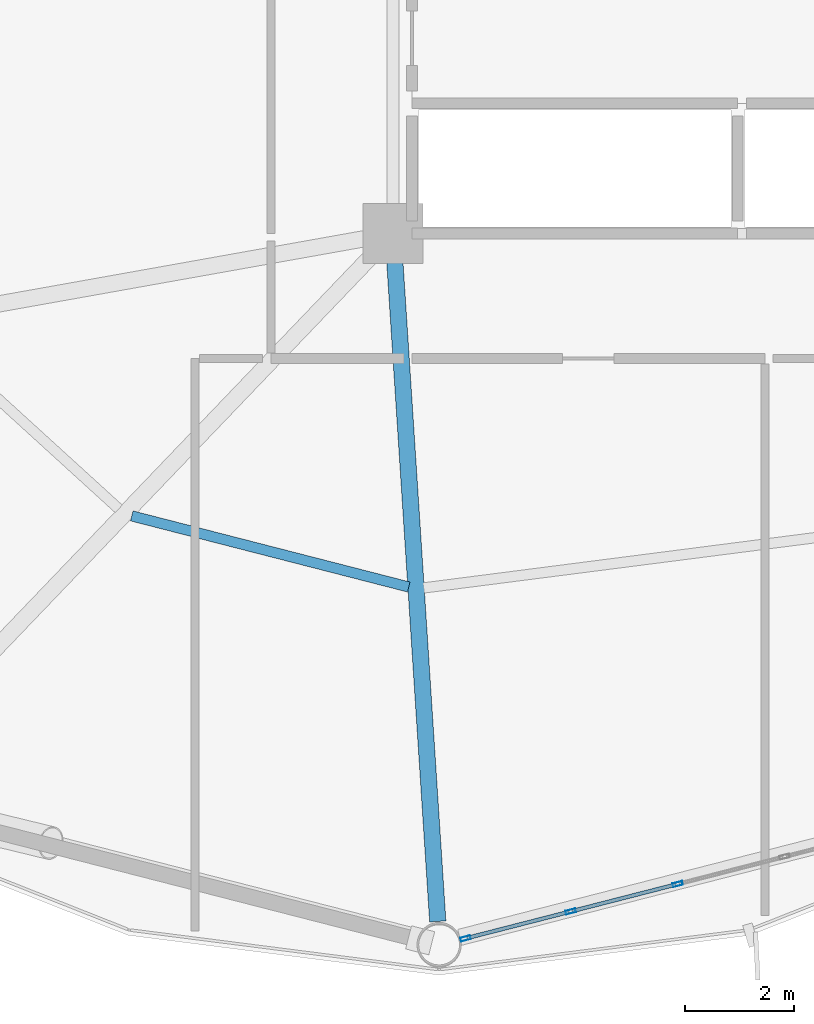
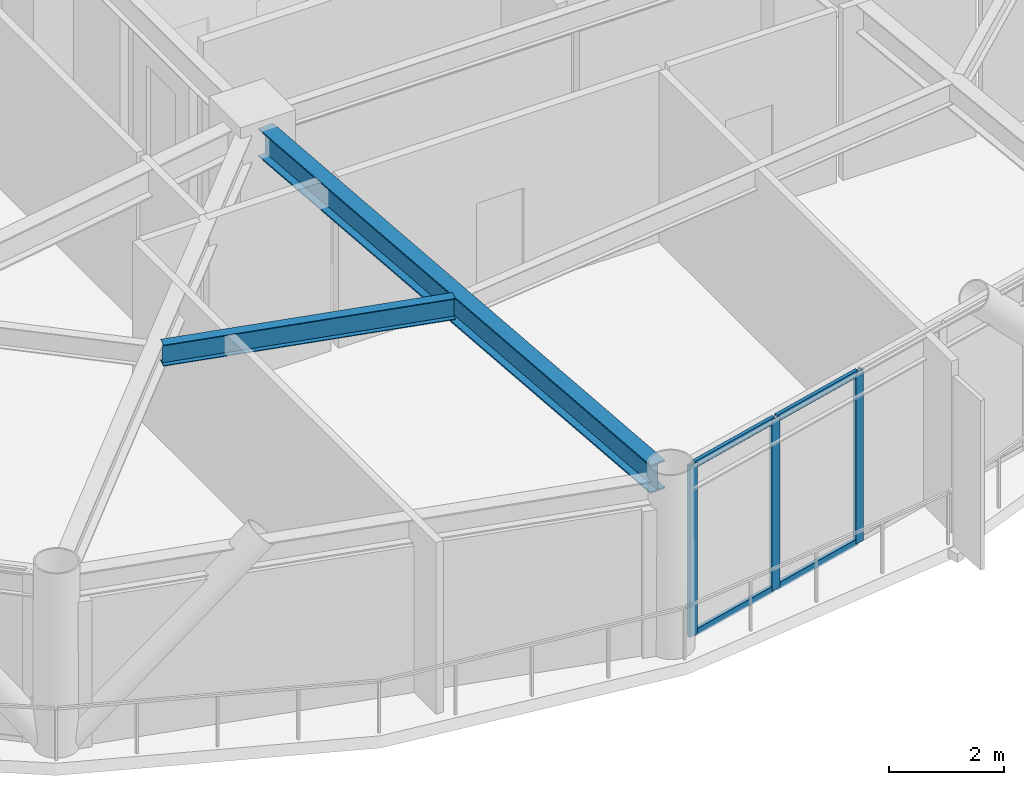
# One storey, part 5 of 25: 7 members, 2 beams, 1 element without a shape of its own.
"""IFC4 building model written with IfcOpenShell, lengths in metres."""

from ifc_helpers import new_model, si_unit, direction, frame, origin, origin_2d, place, context, subcontext, project, spatial, hollow_rectangle, i_section, extrude, material, layer, layer_set, material_profile, profile_set, type_object, element, aggregate, save


model = new_model("IFC4")

# Units and contexts
model_context = context("Model", 3, precision=1e-05, world=origin(), true_north=direction((0.0, 1.0)))
body_context = subcontext(model_context, "Body", "Model", "MODEL_VIEW")
ifc_project = project(units=[si_unit("LENGTHUNIT", "METRE"), si_unit("AREAUNIT", "SQUARE_METRE"), si_unit("VOLUMEUNIT", "CUBIC_METRE"), si_unit("PLANEANGLEUNIT", "RADIAN"), si_unit("MASSUNIT", "GRAM", prefix="KILO")], contexts=[model_context])

# Site, building, storey
site_placement = place(None, origin())
site = spatial("IfcSite", under=ifc_project, at=site_placement, CompositionType="ELEMENT")
building_placement = place(site_placement, origin())
building = spatial("IfcBuilding", under=site, at=building_placement, Name="Varnakorn Sky Granary", CompositionType="ELEMENT")
storey_placement = place(building_placement, frame((0.0, 0.0, 99.300048828125)))
storey = spatial("IfcBuildingStorey", under=building, at=storey_placement, Name="L24", CompositionType="ELEMENT", Elevation=99.300048828125)

# Beams
ifc_material_1 = material(Name="Steel S355JR", Category="steel")
ifc_material_profile_1 = material_profile(ifc_material_1, i_section(OverallWidth=0.300048828125, OverallDepth=0.60009765625, WebThickness=0.015380859375, FlangeThickness=0.030029296875, at=origin_2d()), Name="HE 600 B")
ifc_profile_set_1 = profile_set([ifc_material_profile_1], Name="Steel S355JR")
beam_type_1 = type_object("IfcBeamType", Name="BM-RAD-Z2", PredefinedType="BEAM", material=ifc_profile_set_1)
beam_1_placement = place(storey_placement, frame((-2.32275390625, -7.01904296875, 3.33984375), z_axis=(0.064952138437, -0.997888380388, 0.0), x_axis=(0.997888380388, 0.064952138437, 0.0)))
element("IfcBeam", 1, at=beam_1_placement, inside=storey, type_object=beam_type_1, Name="Radial Floor Girder RG10 L24", PredefinedType="BEAM", context=body_context, shape_type="SweptSolid", body=[
    extrude(i_section(OverallWidth=0.300048828125, OverallDepth=0.60009765625, WebThickness=0.015380859375, FlangeThickness=0.030029296875, at=origin_2d()), origin(), (0.0, 0.0, 1.0), 12.276123046875),
])
ifc_material_profile_2 = material_profile(ifc_material_1, i_section(OverallWidth=0.18994140625, OverallDepth=0.449951171875, WebThickness=0.009521484375, FlangeThickness=0.0146484375, at=origin_2d()), Name="IPE 450")
ifc_profile_set_2 = profile_set([ifc_material_profile_2], Name="Steel S355JR")
beam_type_2 = type_object("IfcBeamType", Name="BM-SEC-Z2", PredefinedType="BEAM", material=ifc_profile_set_2)
beam_2_placement = place(storey_placement, frame((-7.1611328125, -11.7998046875, 3.4150390625), z_axis=(0.968593479271, -0.248649697191, 0.0), x_axis=(0.248649697191, 0.968593479271, 0.0)))
element("IfcBeam", 2, at=beam_2_placement, inside=storey, type_object=beam_type_2, Name="Secondary Floor Chord Beam MSB09 L24", PredefinedType="BEAM", context=body_context, shape_type="SweptSolid", body=[
    extrude(i_section(OverallWidth=0.18994140625, OverallDepth=0.449951171875, WebThickness=0.009521484375, FlangeThickness=0.0146484375, at=origin_2d()), origin(), (0.0, 0.0, 1.0), 5.266845703125),
])

# Curtain wall, members
ifc_material_2 = material(Name="Anodised Bronze Aluminium Alloy 6063-T6", Category="aluminium")
ifc_layer = layer(ifc_material_2, 0.18994140625, Name="Anodised Bronze Aluminium Alloy 6063-T6")
ifc_layer_set = layer_set([ifc_layer], Name="Anodised Bronze Aluminium Alloy 6063-T6")
curtain_wall_type = type_object("IfcCurtainWallType", Name="CW-FRM-1", PredefinedType="USERDEFINED", material=ifc_layer_set)
curtain_wall_placement = place(storey_placement, origin())
curtain_wall = element("IfcCurtainWall", 3, at=curtain_wall_placement, inside=storey, type_object=curtain_wall_type, Name="Unitised Curtain Wall CW3 CW-L24-B10", ObjectType="CURTAIN WALL", PredefinedType="USERDEFINED")
ifc_material_profile_3 = material_profile(ifc_material_2, hollow_rectangle(XDim=0.070068359375, YDim=0.18505859375, WallThickness=0.00390625, at=origin_2d()), Name="ALU MULL 70x185")
ifc_profile_set_3 = profile_set([ifc_material_profile_3], Name="Anodised Bronze Aluminium Alloy 6063-T6")
member_type_1 = type_object("IfcMemberType", Name="CW-FRM-1-MULL", PredefinedType="MULLION", material=ifc_profile_set_3)
member_1_placement = place(storey_placement, frame((2.893310546875, -18.5810546875, 0.0), z_axis=(0.0, 0.0, 1.0), x_axis=(0.248284052868, -0.968687271049, 0.0)))
member_1 = element("IfcMember", 4, at=member_1_placement, type_object=member_type_1, Name="CW3 mullion 4", PredefinedType="MULLION", context=body_context, shape_type="SweptSolid", body=[
    extrude(hollow_rectangle(XDim=0.070068359375, YDim=0.18505859375, WallThickness=0.00390625, at=origin_2d()), origin(), (0.0, 0.0, 1.0), 3.639892578125),
])
member_2_placement = place(storey_placement, frame((0.922607421875, -19.086181640625, 0.0), z_axis=(0.0, 0.0, 1.0), x_axis=(0.248284052868, -0.968687271049, 0.0)))
member_2 = element("IfcMember", 5, at=member_2_placement, type_object=member_type_1, Name="CW3 mullion 5", PredefinedType="MULLION", context=body_context, shape_type="SweptSolid", body=[
    extrude(hollow_rectangle(XDim=0.070068359375, YDim=0.18505859375, WallThickness=0.00390625, at=origin_2d()), origin(), (0.0, 0.0, 1.0), 3.639892578125),
])
member_3_placement = place(storey_placement, frame((-1.01416015625, -19.58251953125, 0.0), z_axis=(0.0, 0.0, 1.0), x_axis=(0.248284052868, -0.968687271049, 0.0)))
member_3 = element("IfcMember", 6, at=member_3_placement, type_object=member_type_1, Name="CW3 mullion 6", PredefinedType="MULLION", context=body_context, shape_type="SweptSolid", body=[
    extrude(hollow_rectangle(XDim=0.070068359375, YDim=0.18505859375, WallThickness=0.00390625, at=origin_2d()), origin(), (0.0, 0.0, 1.0), 3.639892578125),
])
ifc_material_profile_4 = material_profile(ifc_material_2, hollow_rectangle(XDim=0.070068359375, YDim=0.139892578125, WallThickness=0.00341796875, at=origin_2d()), Name="ALU TRAN 70x140")
ifc_profile_set_4 = profile_set([ifc_material_profile_4], Name="Anodised Bronze Aluminium Alloy 6063-T6")
member_type_2 = type_object("IfcMemberType", Name="CW-FRM-1-TRAN", PredefinedType="USERDEFINED", material=ifc_profile_set_4)
member_4_placement = place(storey_placement, frame((2.859375, -18.589599609375, 0.034912109375), z_axis=(-0.968677665479, -0.248321526255, 0.0), x_axis=(0.248321526255, -0.968677665479, 0.0)))
member_4 = element("IfcMember", 7, at=member_4_placement, type_object=member_type_2, Name="CW3 transom 4.1", ObjectType="TRANSOM", PredefinedType="USERDEFINED", context=body_context, shape_type="SweptSolid", body=[
    extrude(hollow_rectangle(XDim=0.070068359375, YDim=0.139892578125, WallThickness=0.00341796875, at=origin_2d()), origin(), (0.0, 0.0, 1.0), 1.96435546875),
])
member_5_placement = place(storey_placement, frame((2.859375, -18.589599609375, 3.60498046875), z_axis=(-0.968677665479, -0.248321526255, 0.0), x_axis=(0.248321526255, -0.968677665479, 0.0)))
member_5 = element("IfcMember", 8, at=member_5_placement, type_object=member_type_2, Name="CW3 transom 4.2", ObjectType="TRANSOM", PredefinedType="USERDEFINED", context=body_context, shape_type="SweptSolid", body=[
    extrude(hollow_rectangle(XDim=0.070068359375, YDim=0.139892578125, WallThickness=0.00341796875, at=origin_2d()), origin(), (0.0, 0.0, 1.0), 1.96435546875),
])
member_6_placement = place(storey_placement, frame((0.888671875, -19.0947265625, 0.034912109375), z_axis=(-0.968688841929, -0.248277923954, 0.0), x_axis=(0.248277923954, -0.968688841929, 0.0)))
member_6 = element("IfcMember", 9, at=member_6_placement, type_object=member_type_2, Name="CW3 transom 5.1", ObjectType="TRANSOM", PredefinedType="USERDEFINED", context=body_context, shape_type="SweptSolid", body=[
    extrude(hollow_rectangle(XDim=0.070068359375, YDim=0.139892578125, WallThickness=0.00341796875, at=origin_2d()), origin(), (0.0, 0.0, 1.0), 1.92919921875),
])
member_7_placement = place(storey_placement, frame((0.888671875, -19.0947265625, 3.60498046875), z_axis=(-0.968688841929, -0.248277923954, 0.0), x_axis=(0.248277923954, -0.968688841929, 0.0)))
member_7 = element("IfcMember", 10, at=member_7_placement, type_object=member_type_2, Name="CW3 transom 5.2", ObjectType="TRANSOM", PredefinedType="USERDEFINED", context=body_context, shape_type="SweptSolid", body=[
    extrude(hollow_rectangle(XDim=0.070068359375, YDim=0.139892578125, WallThickness=0.00341796875, at=origin_2d()), origin(), (0.0, 0.0, 1.0), 1.92919921875),
])
aggregate(curtain_wall, [member_1, member_2, member_3, member_4, member_5, member_6, member_7])

save(model, "model.ifc")
